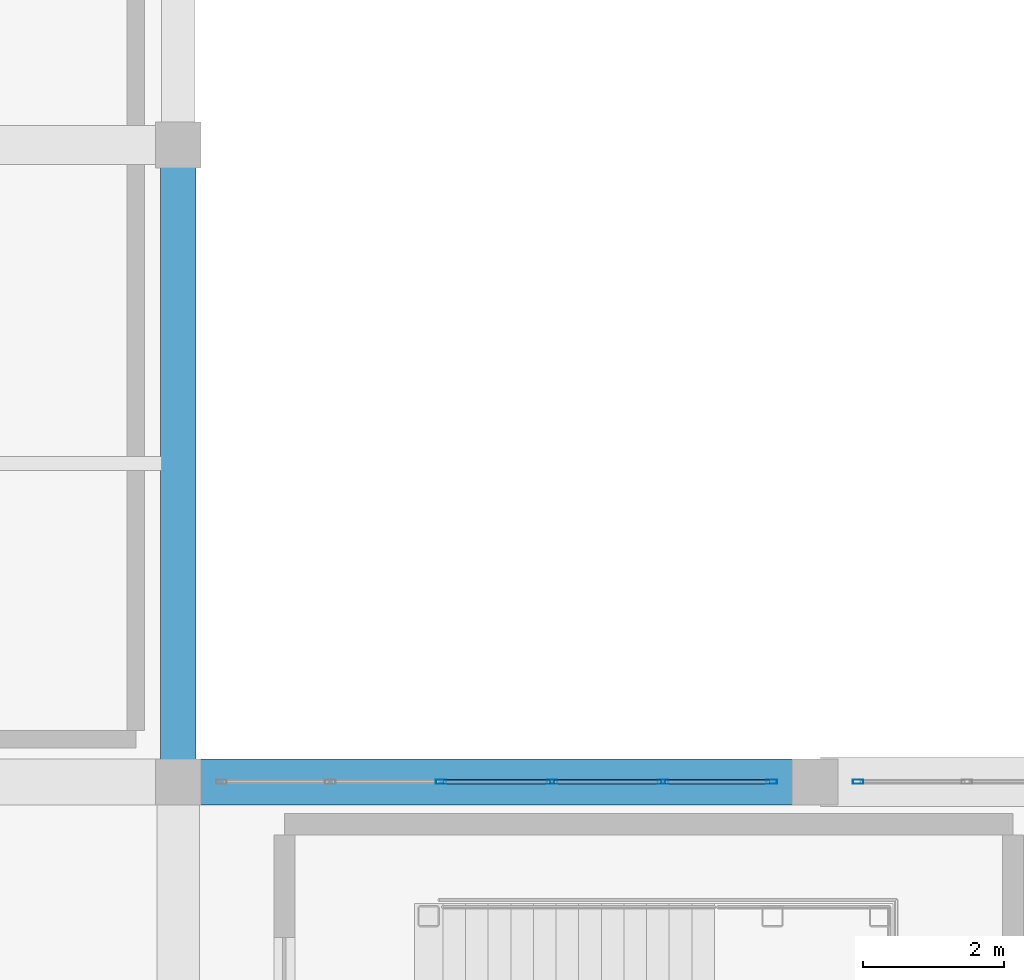
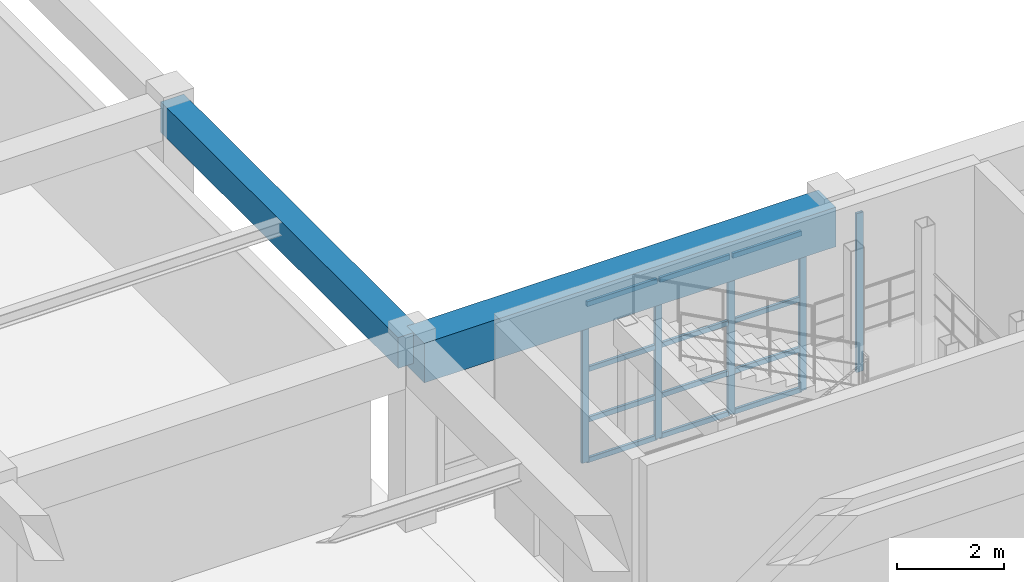
# One storey, part 44 of 133: 17 members, 2 beams, 2 elements without a shape of their own.
"""IFC4 building model written with IfcOpenShell, lengths in metres."""

from ifc_helpers import new_model, si_unit, direction, frame, origin, origin_2d, place, context, subcontext, project, spatial, rectangle, hollow_rectangle, extrude, material, material_profile, profile_set, type_object, element, aggregate, save


model = new_model("IFC4")

# Units and contexts
model_context = context("Model", 3, precision=1e-05, world=origin(), true_north=direction((0.0, 1.0)))
body_context = subcontext(model_context, "Body", "Model", "MODEL_VIEW")
ifc_project = project(units=[si_unit("LENGTHUNIT", "METRE"), si_unit("AREAUNIT", "SQUARE_METRE"), si_unit("VOLUMEUNIT", "CUBIC_METRE"), si_unit("PLANEANGLEUNIT", "RADIAN"), si_unit("MASSUNIT", "GRAM", prefix="KILO")], contexts=[model_context])

# Site, building, storey
site_placement = place(None, origin())
site = spatial("IfcSite", under=ifc_project, at=site_placement, CompositionType="ELEMENT")
building_placement = place(site_placement, origin())
building = spatial("IfcBuilding", under=site, at=building_placement, Name="Miravela Opera House", CompositionType="ELEMENT")
storey_placement = place(building_placement, frame((0.0, 0.0, 5.10009765625)))
storey = spatial("IfcBuildingStorey", under=building, at=storey_placement, Name="L01", CompositionType="ELEMENT", Elevation=5.10009765625)

# Curtain wall, members
ifc_material_1 = material(Name="Anodised architectural bronze aluminium 6063-T6", Category="aluminium")
curtain_wall_type = type_object("IfcCurtainWallType", Name="ARC-CW-06", PredefinedType="NOTDEFINED", material=ifc_material_1)
curtain_wall_1_placement = place(storey_placement, origin())
curtain_wall_1 = element("IfcCurtainWall", 1, at=curtain_wall_1_placement, inside=storey, type_object=curtain_wall_type, Name="Courtyard Arcade Curtain Wall CW-L01-171", PredefinedType="NOTDEFINED")
ifc_material_profile_1 = material_profile(ifc_material_1, hollow_rectangle(XDim=0.06005859375, YDim=0.14990234375, WallThickness=0.00390625, InnerFilletRadius=0.001953125, OuterFilletRadius=0.00390625, at=origin_2d()), Name="CWM-60X150")
ifc_profile_set_1 = profile_set([ifc_material_profile_1])
member_type_1 = type_object("IfcMemberType", Name="ARC-CWM-150", PredefinedType="MULLION", material=ifc_profile_set_1)
member_1_placement = place(storey_placement, frame((120.716064453125, 9.0, 0.0), z_axis=(0.0, 0.0, 1.0), x_axis=(0.0, 1.0, 0.0)))
member_1 = element("IfcMember", 2, at=member_1_placement, type_object=member_type_1, Name="CW-06 mullion 3", PredefinedType="MULLION", context=body_context, shape_type="SweptSolid", body=[
    extrude(hollow_rectangle(XDim=0.06005859375, YDim=0.14990234375, WallThickness=0.00390625, InnerFilletRadius=0.001953125, OuterFilletRadius=0.00390625, at=origin_2d()), origin(), (0.0, 0.0, 1.0), 3.60986328125),
])
member_2_placement = place(storey_placement, frame((122.283935546875, 9.0, 0.0), z_axis=(0.0, 0.0, 1.0), x_axis=(0.0, 1.0, 0.0)))
member_2 = element("IfcMember", 3, at=member_2_placement, type_object=member_type_1, Name="CW-06 mullion 4", PredefinedType="MULLION", context=body_context, shape_type="SweptSolid", body=[
    extrude(hollow_rectangle(XDim=0.06005859375, YDim=0.14990234375, WallThickness=0.00390625, InnerFilletRadius=0.001953125, OuterFilletRadius=0.00390625, at=origin_2d()), origin(), (0.0, 0.0, 1.0), 3.60986328125),
])
member_3_placement = place(storey_placement, frame((123.85205078125, 9.0, 0.0), z_axis=(0.0, 0.0, 1.0), x_axis=(0.0, 1.0, 0.0)))
member_3 = element("IfcMember", 4, at=member_3_placement, type_object=member_type_1, Name="CW-06 mullion 5", PredefinedType="MULLION", context=body_context, shape_type="SweptSolid", body=[
    extrude(hollow_rectangle(XDim=0.06005859375, YDim=0.14990234375, WallThickness=0.00390625, InnerFilletRadius=0.001953125, OuterFilletRadius=0.00390625, at=origin_2d()), origin(), (0.0, 0.0, 1.0), 3.60986328125),
])
member_4_placement = place(storey_placement, frame((125.389892578125, 9.0, 0.0), z_axis=(0.0, 0.0, 1.0), x_axis=(0.0, 1.0, 0.0)))
member_4 = element("IfcMember", 5, at=member_4_placement, type_object=member_type_1, Name="CW-06 mullion 6", PredefinedType="MULLION", context=body_context, shape_type="SweptSolid", body=[
    extrude(hollow_rectangle(XDim=0.06005859375, YDim=0.14990234375, WallThickness=0.00390625, InnerFilletRadius=0.001953125, OuterFilletRadius=0.00390625, at=origin_2d()), origin(), (0.0, 0.0, 1.0), 3.60986328125),
])

# Curtain wall, member
curtain_wall_2_placement = place(storey_placement, origin())
curtain_wall_2 = element("IfcCurtainWall", 6, at=curtain_wall_2_placement, inside=storey, type_object=curtain_wall_type, Name="Courtyard Arcade Curtain Wall CW-L01-175", PredefinedType="NOTDEFINED")
member_5_placement = place(storey_placement, frame((126.610107421875, 9.0, 0.0), z_axis=(0.0, 0.0, 1.0), x_axis=(0.0, 1.0, 0.0)))
member_5 = element("IfcMember", 7, at=member_5_placement, type_object=member_type_1, Name="CW-06 mullion 1", PredefinedType="MULLION", context=body_context, shape_type="SweptSolid", body=[
    extrude(hollow_rectangle(XDim=0.06005859375, YDim=0.14990234375, WallThickness=0.00390625, InnerFilletRadius=0.001953125, OuterFilletRadius=0.00390625, at=origin_2d()), origin(), (0.0, 0.0, 1.0), 3.60986328125),
])
aggregate(curtain_wall_2, [member_5])

# Member
ifc_material_profile_2 = material_profile(ifc_material_1, hollow_rectangle(XDim=0.06005859375, YDim=0.114990234375, WallThickness=0.00390625, InnerFilletRadius=0.001953125, OuterFilletRadius=0.00390625, at=origin_2d()), Name="CWT-60X115")
ifc_profile_set_2 = profile_set([ifc_material_profile_2])
member_type_2 = type_object("IfcMemberType", Name="ARC-CWT-115", PredefinedType="USERDEFINED", material=ifc_profile_set_2)
member_6_placement = place(storey_placement, frame((120.74609375, 9.0, 0.02978515625), z_axis=(1.0, 0.0, 0.0), x_axis=(0.0, 1.0, 0.0)))
member_6 = element("IfcMember", 8, at=member_6_placement, type_object=member_type_2, Name="CW-06 transom 3.1", ObjectType="TRANSOM", PredefinedType="USERDEFINED", context=body_context, shape_type="SweptSolid", body=[
    extrude(hollow_rectangle(XDim=0.06005859375, YDim=0.114990234375, WallThickness=0.00390625, InnerFilletRadius=0.001953125, OuterFilletRadius=0.00390625, at=origin_2d()), origin(), (0.0, 0.0, 1.0), 1.5078125),
])

member_7_placement = place(storey_placement, frame((120.74609375, 9.0, 0.949951171875), z_axis=(1.0, 0.0, 0.0), x_axis=(0.0, 1.0, 0.0)))
member_7 = element("IfcMember", 9, at=member_7_placement, type_object=member_type_2, Name="CW-06 transom 3.2", ObjectType="TRANSOM", PredefinedType="USERDEFINED", context=body_context, shape_type="SweptSolid", body=[
    extrude(hollow_rectangle(XDim=0.06005859375, YDim=0.114990234375, WallThickness=0.00390625, InnerFilletRadius=0.001953125, OuterFilletRadius=0.00390625, at=origin_2d()), origin(), (0.0, 0.0, 1.0), 1.5078125),
])

member_8_placement = place(storey_placement, frame((120.74609375, 9.0, 2.09375), z_axis=(1.0, 0.0, 0.0), x_axis=(0.0, 1.0, 0.0)))
member_8 = element("IfcMember", 10, at=member_8_placement, type_object=member_type_2, Name="CW-06 transom 3.3", ObjectType="TRANSOM", PredefinedType="USERDEFINED", context=body_context, shape_type="SweptSolid", body=[
    extrude(hollow_rectangle(XDim=0.06005859375, YDim=0.114990234375, WallThickness=0.00390625, InnerFilletRadius=0.001953125, OuterFilletRadius=0.00390625, at=origin_2d()), origin(), (0.0, 0.0, 1.0), 1.5078125),
])

member_9_placement = place(storey_placement, frame((120.74609375, 9.0, 3.579833984375), z_axis=(1.0, 0.0, 0.0), x_axis=(0.0, 1.0, 0.0)))
member_9 = element("IfcMember", 11, at=member_9_placement, type_object=member_type_2, Name="CW-06 transom 3.4", ObjectType="TRANSOM", PredefinedType="USERDEFINED", context=body_context, shape_type="SweptSolid", body=[
    extrude(hollow_rectangle(XDim=0.06005859375, YDim=0.114990234375, WallThickness=0.00390625, InnerFilletRadius=0.001953125, OuterFilletRadius=0.00390625, at=origin_2d()), origin(), (0.0, 0.0, 1.0), 1.5078125),
])

member_10_placement = place(storey_placement, frame((122.31396484375, 9.0, 0.02978515625), z_axis=(1.0, 0.0, 0.0), x_axis=(0.0, 1.0, 0.0)))
member_10 = element("IfcMember", 12, at=member_10_placement, type_object=member_type_2, Name="CW-06 transom 4.1", ObjectType="TRANSOM", PredefinedType="USERDEFINED", context=body_context, shape_type="SweptSolid", body=[
    extrude(hollow_rectangle(XDim=0.06005859375, YDim=0.114990234375, WallThickness=0.00390625, InnerFilletRadius=0.001953125, OuterFilletRadius=0.00390625, at=origin_2d()), origin(), (0.0, 0.0, 1.0), 1.508056640625),
])

member_11_placement = place(storey_placement, frame((122.31396484375, 9.0, 0.949951171875), z_axis=(1.0, 0.0, 0.0), x_axis=(0.0, 1.0, 0.0)))
member_11 = element("IfcMember", 13, at=member_11_placement, type_object=member_type_2, Name="CW-06 transom 4.2", ObjectType="TRANSOM", PredefinedType="USERDEFINED", context=body_context, shape_type="SweptSolid", body=[
    extrude(hollow_rectangle(XDim=0.06005859375, YDim=0.114990234375, WallThickness=0.00390625, InnerFilletRadius=0.001953125, OuterFilletRadius=0.00390625, at=origin_2d()), origin(), (0.0, 0.0, 1.0), 1.508056640625),
])

member_12_placement = place(storey_placement, frame((122.31396484375, 9.0, 2.09375), z_axis=(1.0, 0.0, 0.0), x_axis=(0.0, 1.0, 0.0)))
member_12 = element("IfcMember", 14, at=member_12_placement, type_object=member_type_2, Name="CW-06 transom 4.3", ObjectType="TRANSOM", PredefinedType="USERDEFINED", context=body_context, shape_type="SweptSolid", body=[
    extrude(hollow_rectangle(XDim=0.06005859375, YDim=0.114990234375, WallThickness=0.00390625, InnerFilletRadius=0.001953125, OuterFilletRadius=0.00390625, at=origin_2d()), origin(), (0.0, 0.0, 1.0), 1.508056640625),
])

member_13_placement = place(storey_placement, frame((122.31396484375, 9.0, 3.579833984375), z_axis=(1.0, 0.0, 0.0), x_axis=(0.0, 1.0, 0.0)))
member_13 = element("IfcMember", 15, at=member_13_placement, type_object=member_type_2, Name="CW-06 transom 4.4", ObjectType="TRANSOM", PredefinedType="USERDEFINED", context=body_context, shape_type="SweptSolid", body=[
    extrude(hollow_rectangle(XDim=0.06005859375, YDim=0.114990234375, WallThickness=0.00390625, InnerFilletRadius=0.001953125, OuterFilletRadius=0.00390625, at=origin_2d()), origin(), (0.0, 0.0, 1.0), 1.508056640625),
])

member_14_placement = place(storey_placement, frame((123.882080078125, 9.0, 0.02978515625), z_axis=(1.0, 0.0, 0.0), x_axis=(0.0, 1.0, 0.0)))
member_14 = element("IfcMember", 16, at=member_14_placement, type_object=member_type_2, Name="CW-06 transom 5.1", ObjectType="TRANSOM", PredefinedType="USERDEFINED", context=body_context, shape_type="SweptSolid", body=[
    extrude(hollow_rectangle(XDim=0.06005859375, YDim=0.114990234375, WallThickness=0.00390625, InnerFilletRadius=0.001953125, OuterFilletRadius=0.00390625, at=origin_2d()), origin(), (0.0, 0.0, 1.0), 1.47802734375),
])

member_15_placement = place(storey_placement, frame((123.882080078125, 9.0, 0.949951171875), z_axis=(1.0, 0.0, 0.0), x_axis=(0.0, 1.0, 0.0)))
member_15 = element("IfcMember", 17, at=member_15_placement, type_object=member_type_2, Name="CW-06 transom 5.2", ObjectType="TRANSOM", PredefinedType="USERDEFINED", context=body_context, shape_type="SweptSolid", body=[
    extrude(hollow_rectangle(XDim=0.06005859375, YDim=0.114990234375, WallThickness=0.00390625, InnerFilletRadius=0.001953125, OuterFilletRadius=0.00390625, at=origin_2d()), origin(), (0.0, 0.0, 1.0), 1.47802734375),
])

member_16_placement = place(storey_placement, frame((123.882080078125, 9.0, 2.09375), z_axis=(1.0, 0.0, 0.0), x_axis=(0.0, 1.0, 0.0)))
member_16 = element("IfcMember", 18, at=member_16_placement, type_object=member_type_2, Name="CW-06 transom 5.3", ObjectType="TRANSOM", PredefinedType="USERDEFINED", context=body_context, shape_type="SweptSolid", body=[
    extrude(hollow_rectangle(XDim=0.06005859375, YDim=0.114990234375, WallThickness=0.00390625, InnerFilletRadius=0.001953125, OuterFilletRadius=0.00390625, at=origin_2d()), origin(), (0.0, 0.0, 1.0), 1.47802734375),
])

member_17_placement = place(storey_placement, frame((123.882080078125, 9.0, 3.579833984375), z_axis=(1.0, 0.0, 0.0), x_axis=(0.0, 1.0, 0.0)))
member_17 = element("IfcMember", 19, at=member_17_placement, type_object=member_type_2, Name="CW-06 transom 5.4", ObjectType="TRANSOM", PredefinedType="USERDEFINED", context=body_context, shape_type="SweptSolid", body=[
    extrude(hollow_rectangle(XDim=0.06005859375, YDim=0.114990234375, WallThickness=0.00390625, InnerFilletRadius=0.001953125, OuterFilletRadius=0.00390625, at=origin_2d()), origin(), (0.0, 0.0, 1.0), 1.47802734375),
])

aggregate(curtain_wall_1, [member_1, member_2, member_3, member_4, member_6, member_7, member_8, member_9, member_10, member_11, member_12, member_13, member_14, member_15, member_16, member_17])

# Beams
ifc_material_2 = material(Name="Concrete C35/45", Category="concrete")
ifc_material_profile_3 = material_profile(ifc_material_2, rectangle(XDim=0.5, YDim=0.699951171875, at=origin_2d()), Name="RC-BM-500X700")
ifc_profile_set_3 = profile_set([ifc_material_profile_3])
beam_type_1 = type_object("IfcBeamType", Name="STR-BM-RC500X700", PredefinedType="BEAM", material=ifc_profile_set_3)
beam_1_placement = place(storey_placement, frame((117.0, 9.080078125, 3.809814453125), z_axis=(0.0, 1.0, 0.0), x_axis=(-1.0, 0.0, 0.0)))
element("IfcBeam", 20, at=beam_1_placement, inside=storey, type_object=beam_type_1, Name="Floor Girder L01 14/B-C", PredefinedType="BEAM", context=body_context, shape_type="SweptSolid", body=[
    extrude(rectangle(XDim=0.5, YDim=0.699951171875, at=origin_2d()), origin(), (0.0, 0.0, 1.0), 8.83984375),
])
ifc_material_3 = material(Name="Concrete C40/50", Category="concrete")
ifc_material_profile_4 = material_profile(ifc_material_3, rectangle(XDim=0.64990234375, YDim=0.89990234375, at=origin_2d()), Name="RC-BM-650X900")
ifc_profile_set_4 = profile_set([ifc_material_profile_4])
beam_type_2 = type_object("IfcBeamType", Name="STR-BM-RC650X900", PredefinedType="BEAM", material=ifc_profile_set_4)
beam_2_placement = place(storey_placement, frame((117.080078125, 9.0, 3.7099609375), z_axis=(1.0, 0.0, 0.0), x_axis=(0.0, 1.0, 0.0)))
element("IfcBeam", 21, at=beam_2_placement, inside=storey, type_object=beam_type_2, Name="Floor Girder L01 14-15/B", PredefinedType="BEAM", context=body_context, shape_type="SweptSolid", body=[
    extrude(rectangle(XDim=0.64990234375, YDim=0.89990234375, at=origin_2d()), origin(), (0.0, 0.0, 1.0), 8.83984375),
])

save(model, "model.ifc")
